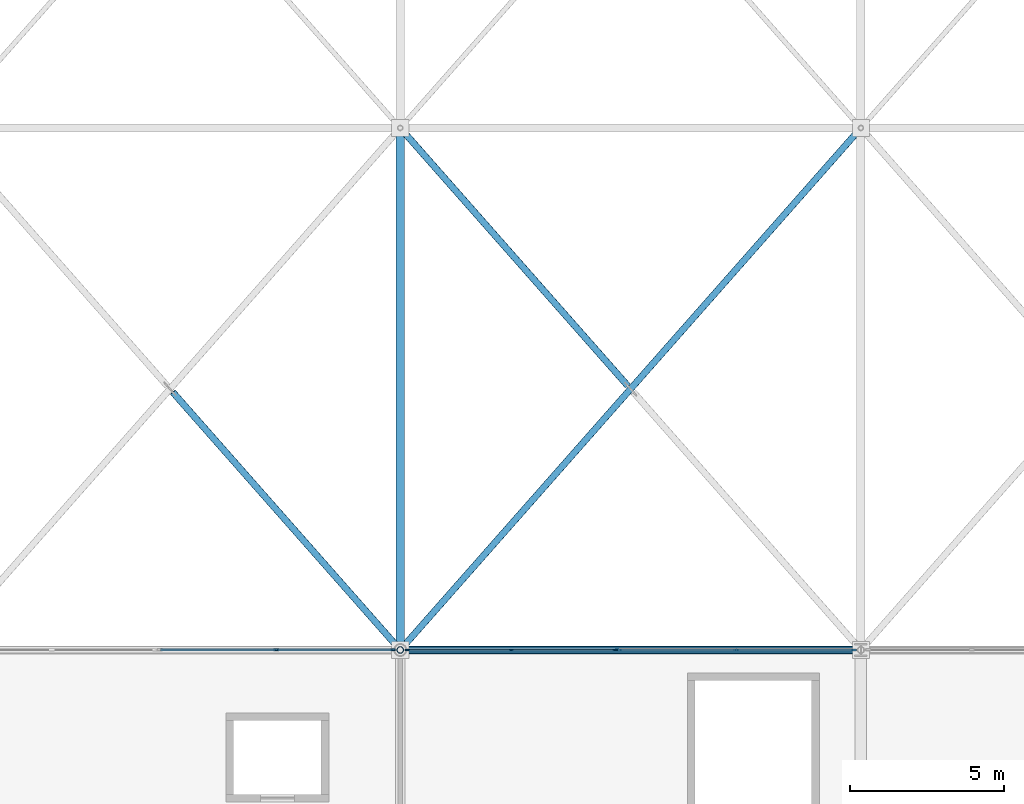
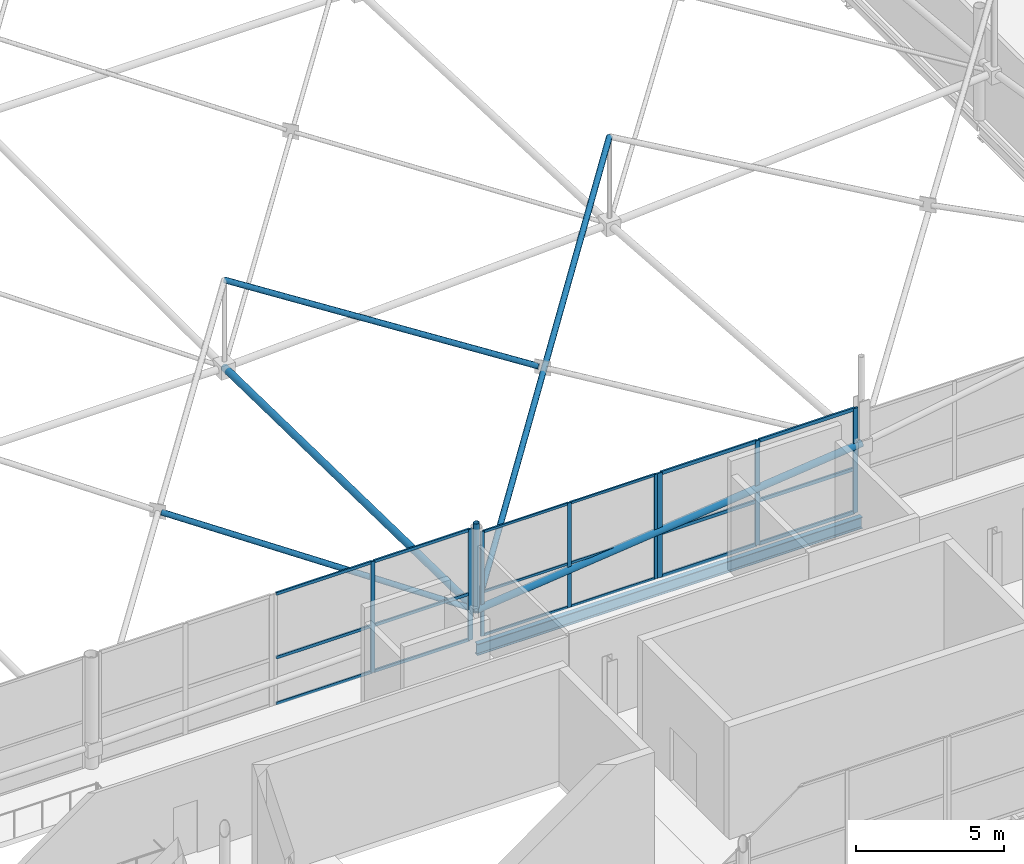
# One storey, part 50 of 224: 32 members, 1 beam, 3 elements without a shape of their own.
"""IFC4 building model written with IfcOpenShell, lengths in metres."""

from ifc_helpers import new_model, si_unit, direction, frame, origin, origin_2d, place, context, subcontext, project, spatial, rectangle, hollow_circle, i_section, extrude, material, layer, layer_set, material_profile, profile_set, type_object, element, aggregate, save


model = new_model("IFC4")

# Units and contexts
model_context = context("Model", 3, precision=1e-05, world=origin(), true_north=direction((0.0, 1.0)))
body_context = subcontext(model_context, "Body", "Model", "MODEL_VIEW")
ifc_project = project(units=[si_unit("LENGTHUNIT", "METRE"), si_unit("AREAUNIT", "SQUARE_METRE"), si_unit("VOLUMEUNIT", "CUBIC_METRE"), si_unit("PLANEANGLEUNIT", "RADIAN"), si_unit("MASSUNIT", "GRAM", prefix="KILO")], contexts=[model_context])

# Site, building, storey
site_placement = place(None, origin())
site = spatial("IfcSite", under=ifc_project, at=site_placement, CompositionType="ELEMENT")
building_placement = place(site_placement, origin())
building = spatial("IfcBuilding", under=site, at=building_placement, Name="Qamarlyn Nura Convention Centre", CompositionType="ELEMENT")
storey_placement = place(building_placement, frame((0.0, 0.0, 10.800048828125)))
storey = spatial("IfcBuildingStorey", under=building, at=storey_placement, Name="L02", CompositionType="ELEMENT", Elevation=10.800048828125)

# Beam
ifc_material_1 = material(Name="Steel ASTM A992", Category="steel")
ifc_material_profile_1 = material_profile(ifc_material_1, i_section(OverallWidth=0.193115234375, OverallDepth=0.466064453125, WebThickness=0.011474609375, FlangeThickness=0.01904296875, FilletRadius=0.012939453125, at=origin_2d()), Name="W460X97")
ifc_profile_set_1 = profile_set([ifc_material_profile_1], Name="Steel ASTM A992")
beam_type = type_object("IfcBeamType", Name="BM-SPAN-460", PredefinedType="SPANDREL", material=ifc_profile_set_1)
beam_placement = place(storey_placement, frame((90.0, 18.0, -0.453125), z_axis=(1.0, 0.0, 0.0), x_axis=(0.0, 1.0, 0.0)))
element("IfcBeam", 1, at=beam_placement, inside=storey, type_object=beam_type, Name="L02 girder C 7-8", PredefinedType="SPANDREL", context=body_context, shape_type="SweptSolid", body=[
    extrude(i_section(OverallWidth=0.193115234375, OverallDepth=0.466064453125, WebThickness=0.011474609375, FlangeThickness=0.01904296875, FilletRadius=0.012939453125, at=origin_2d()), origin(), (0.0, 0.0, 1.0), 15.0),
])

# Curtain wall, members
ifc_material_2 = material(Name="Double-silver low-E insulated glass", Category="glass")
ifc_layer_1 = layer(ifc_material_2, 0.179931640625, Name="CW-UNIT-21")
ifc_layer_set_1 = layer_set([ifc_layer_1], Name="Double-silver low-E insulated glass")
curtain_wall_type_1 = type_object("IfcCurtainWallType", Name="CW-UNIT-21", PredefinedType="NOTDEFINED", material=ifc_layer_set_1)
curtain_wall_1_placement = place(storey_placement, origin())
curtain_wall_1 = element("IfcCurtainWall", 2, at=curtain_wall_1_placement, inside=storey, type_object=curtain_wall_type_1, Name="L02 unitised curtain wall V1-INT-S3-1A", PredefinedType="NOTDEFINED")
ifc_material_3 = material(Name="Champagne-anodised marine aluminium", Category="aluminium")
ifc_material_profile_2 = material_profile(ifc_material_3, rectangle(XDim=0.06005859375, YDim=0.139892578125, at=origin_2d()), Name="ALU MULLION 60x140")
ifc_profile_set_2 = profile_set([ifc_material_profile_2], Name="Champagne-anodised marine aluminium")
member_type_1 = type_object("IfcMemberType", Name="CWM-140", PredefinedType="MULLION", material=ifc_profile_set_2)
member_1_placement = place(storey_placement, frame((90.233154296875, 18.0, 0.0), z_axis=(0.0, 0.0, 1.0), x_axis=(0.0, 1.0, 0.0)))
member_1 = element("IfcMember", 3, at=member_1_placement, type_object=member_type_1, Name="CW21 mullion 1", PredefinedType="MULLION", context=body_context, shape_type="SweptSolid", body=[
    extrude(rectangle(XDim=0.06005859375, YDim=0.139892578125, at=origin_2d()), origin(), (0.0, 0.0, 1.0), 4.31005859375),
])
member_2_placement = place(storey_placement, frame((93.6123046875, 18.0, 0.0), z_axis=(0.0, 0.0, 1.0), x_axis=(0.0, 1.0, 0.0)))
member_2 = element("IfcMember", 4, at=member_2_placement, type_object=member_type_1, Name="CW21 mullion 2", PredefinedType="MULLION", context=body_context, shape_type="SweptSolid", body=[
    extrude(rectangle(XDim=0.06005859375, YDim=0.139892578125, at=origin_2d()), origin(), (0.0, 0.0, 1.0), 4.31005859375),
])
member_3_placement = place(storey_placement, frame((96.99169921875, 18.0, 0.0), z_axis=(0.0, 0.0, 1.0), x_axis=(0.0, 1.0, 0.0)))
member_3 = element("IfcMember", 5, at=member_3_placement, type_object=member_type_1, Name="CW21 mullion 3", PredefinedType="MULLION", context=body_context, shape_type="SweptSolid", body=[
    extrude(rectangle(XDim=0.06005859375, YDim=0.139892578125, at=origin_2d()), origin(), (0.0, 0.0, 1.0), 4.31005859375),
])

ifc_layer_2 = layer(ifc_material_2, 0.179931640625, Name="CW-UNIT-20")
ifc_layer_set_2 = layer_set([ifc_layer_2], Name="Double-silver low-E insulated glass")
curtain_wall_type_2 = type_object("IfcCurtainWallType", Name="CW-UNIT-20", PredefinedType="NOTDEFINED", material=ifc_layer_set_2)
curtain_wall_2_placement = place(storey_placement, origin())
curtain_wall_2 = element("IfcCurtainWall", 6, at=curtain_wall_2_placement, inside=storey, type_object=curtain_wall_type_2, Name="L02 unitised curtain wall V1-INT-S2-1B", PredefinedType="NOTDEFINED")
ifc_material_profile_3 = material_profile(ifc_material_3, rectangle(XDim=0.06494140625, YDim=0.159912109375, at=origin_2d()), Name="ALU MULLION 65x160")
ifc_profile_set_3 = profile_set([ifc_material_profile_3], Name="Champagne-anodised marine aluminium")
member_type_2 = type_object("IfcMemberType", Name="CWM-160", PredefinedType="MULLION", material=ifc_profile_set_3)
member_4_placement = place(storey_placement, frame((85.962890625, 18.0, 0.0), z_axis=(0.0, 0.0, 1.0), x_axis=(0.0, 1.0, 0.0)))
member_4 = element("IfcMember", 7, at=member_4_placement, type_object=member_type_2, Name="CW20 mullion 2", PredefinedType="MULLION", context=body_context, shape_type="SweptSolid", body=[
    extrude(rectangle(XDim=0.06494140625, YDim=0.159912109375, at=origin_2d()), origin(), (0.0, 0.0, 1.0), 4.579833984375),
])
member_5_placement = place(storey_placement, frame((89.764404296875, 18.0, 0.0), z_axis=(0.0, 0.0, 1.0), x_axis=(0.0, 1.0, 0.0)))
member_5 = element("IfcMember", 8, at=member_5_placement, type_object=member_type_2, Name="CW20 mullion 3", PredefinedType="MULLION", context=body_context, shape_type="SweptSolid", body=[
    extrude(rectangle(XDim=0.06494140625, YDim=0.159912109375, at=origin_2d()), origin(), (0.0, 0.0, 1.0), 4.579833984375),
])

ifc_layer_3 = layer(ifc_material_2, 0.179931640625, Name="CW-UNIT-22")
ifc_layer_set_3 = layer_set([ifc_layer_3], Name="Double-silver low-E insulated glass")
curtain_wall_type_3 = type_object("IfcCurtainWallType", Name="CW-UNIT-22", PredefinedType="NOTDEFINED", material=ifc_layer_set_3)
curtain_wall_3_placement = place(storey_placement, origin())
curtain_wall_3 = element("IfcCurtainWall", 9, at=curtain_wall_3_placement, inside=storey, type_object=curtain_wall_type_3, Name="L02 unitised curtain wall V1-INT-S3-1B", PredefinedType="NOTDEFINED")
ifc_material_profile_4 = material_profile(ifc_material_3, rectangle(XDim=0.070068359375, YDim=0.179931640625, at=origin_2d()), Name="ALU MULLION 70x180")
ifc_profile_set_4 = profile_set([ifc_material_profile_4], Name="Champagne-anodised marine aluminium")
member_type_3 = type_object("IfcMemberType", Name="CWM-180", PredefinedType="MULLION", material=ifc_profile_set_4)
member_6_placement = place(storey_placement, frame((97.13671875, 18.0, 0.0), z_axis=(0.0, 0.0, 1.0), x_axis=(0.0, 1.0, 0.0)))
member_6 = element("IfcMember", 10, at=member_6_placement, type_object=member_type_3, Name="CW22 mullion 1", PredefinedType="MULLION", context=body_context, shape_type="SweptSolid", body=[
    extrude(rectangle(XDim=0.070068359375, YDim=0.179931640625, at=origin_2d()), origin(), (0.0, 0.0, 1.0), 4.31005859375),
])
member_7_placement = place(storey_placement, frame((100.948486328125, 18.0, 0.0), z_axis=(0.0, 0.0, 1.0), x_axis=(0.0, 1.0, 0.0)))
member_7 = element("IfcMember", 11, at=member_7_placement, type_object=member_type_3, Name="CW22 mullion 2", PredefinedType="MULLION", context=body_context, shape_type="SweptSolid", body=[
    extrude(rectangle(XDim=0.070068359375, YDim=0.179931640625, at=origin_2d()), origin(), (0.0, 0.0, 1.0), 4.31005859375),
])
member_8_placement = place(storey_placement, frame((104.760498046875, 18.0, 0.0), z_axis=(0.0, 0.0, 1.0), x_axis=(0.0, 1.0, 0.0)))
member_8 = element("IfcMember", 12, at=member_8_placement, type_object=member_type_3, Name="CW22 mullion 3", PredefinedType="MULLION", context=body_context, shape_type="SweptSolid", body=[
    extrude(rectangle(XDim=0.070068359375, YDim=0.179931640625, at=origin_2d()), origin(), (0.0, 0.0, 1.0), 4.31005859375),
])

# Member
ifc_material_profile_5 = material_profile(ifc_material_3, rectangle(XDim=0.06005859375, YDim=0.10009765625, at=origin_2d()), Name="ALU TRANSOM 60x100")
ifc_profile_set_5 = profile_set([ifc_material_profile_5], Name="Champagne-anodised marine aluminium")
member_type_4 = type_object("IfcMemberType", Name="CWT-100", PredefinedType="USERDEFINED", material=ifc_profile_set_5)
member_9_placement = place(storey_placement, frame((90.26318359375, 18.0, 0.030029296875), z_axis=(1.0, 0.0, 0.0), x_axis=(0.0, 1.0, 0.0)))
member_9 = element("IfcMember", 13, at=member_9_placement, type_object=member_type_4, Name="CW21 transom 1.1", ObjectType="TRANSOM", PredefinedType="USERDEFINED", context=body_context, shape_type="SweptSolid", body=[
    extrude(rectangle(XDim=0.06005859375, YDim=0.10009765625, at=origin_2d()), origin(), (0.0, 0.0, 1.0), 3.3193359375),
])

member_10_placement = place(storey_placement, frame((90.26318359375, 18.0, 1.81005859375), z_axis=(1.0, 0.0, 0.0), x_axis=(0.0, 1.0, 0.0)))
member_10 = element("IfcMember", 14, at=member_10_placement, type_object=member_type_4, Name="CW21 transom 1.2", ObjectType="TRANSOM", PredefinedType="USERDEFINED", context=body_context, shape_type="SweptSolid", body=[
    extrude(rectangle(XDim=0.06005859375, YDim=0.10009765625, at=origin_2d()), origin(), (0.0, 0.0, 1.0), 3.3193359375),
])

member_11_placement = place(storey_placement, frame((90.26318359375, 18.0, 4.280029296875), z_axis=(1.0, 0.0, 0.0), x_axis=(0.0, 1.0, 0.0)))
member_11 = element("IfcMember", 15, at=member_11_placement, type_object=member_type_4, Name="CW21 transom 1.3", ObjectType="TRANSOM", PredefinedType="USERDEFINED", context=body_context, shape_type="SweptSolid", body=[
    extrude(rectangle(XDim=0.06005859375, YDim=0.10009765625, at=origin_2d()), origin(), (0.0, 0.0, 1.0), 3.3193359375),
])

member_12_placement = place(storey_placement, frame((93.642333984375, 18.0, 0.030029296875), z_axis=(1.0, 0.0, 0.0), x_axis=(0.0, 1.0, 0.0)))
member_12 = element("IfcMember", 16, at=member_12_placement, type_object=member_type_4, Name="CW21 transom 2.1", ObjectType="TRANSOM", PredefinedType="USERDEFINED", context=body_context, shape_type="SweptSolid", body=[
    extrude(rectangle(XDim=0.06005859375, YDim=0.10009765625, at=origin_2d()), origin(), (0.0, 0.0, 1.0), 3.3193359375),
])

member_13_placement = place(storey_placement, frame((93.642333984375, 18.0, 1.81005859375), z_axis=(1.0, 0.0, 0.0), x_axis=(0.0, 1.0, 0.0)))
member_13 = element("IfcMember", 17, at=member_13_placement, type_object=member_type_4, Name="CW21 transom 2.2", ObjectType="TRANSOM", PredefinedType="USERDEFINED", context=body_context, shape_type="SweptSolid", body=[
    extrude(rectangle(XDim=0.06005859375, YDim=0.10009765625, at=origin_2d()), origin(), (0.0, 0.0, 1.0), 3.3193359375),
])

member_14_placement = place(storey_placement, frame((93.642333984375, 18.0, 4.280029296875), z_axis=(1.0, 0.0, 0.0), x_axis=(0.0, 1.0, 0.0)))
member_14 = element("IfcMember", 18, at=member_14_placement, type_object=member_type_4, Name="CW21 transom 2.3", ObjectType="TRANSOM", PredefinedType="USERDEFINED", context=body_context, shape_type="SweptSolid", body=[
    extrude(rectangle(XDim=0.06005859375, YDim=0.10009765625, at=origin_2d()), origin(), (0.0, 0.0, 1.0), 3.3193359375),
])

aggregate(curtain_wall_1, [member_1, member_2, member_3, member_9, member_10, member_11, member_12, member_13, member_14])

ifc_material_profile_6 = material_profile(ifc_material_3, rectangle(XDim=0.06494140625, YDim=0.1201171875, at=origin_2d()), Name="ALU TRANSOM 65x120")
ifc_profile_set_6 = profile_set([ifc_material_profile_6], Name="Champagne-anodised marine aluminium")
member_type_5 = type_object("IfcMemberType", Name="CWT-120", PredefinedType="USERDEFINED", material=ifc_profile_set_6)
member_15_placement = place(storey_placement, frame((82.194091796875, 18.0, 0.032470703125), z_axis=(1.0, 0.0, 0.0), x_axis=(0.0, 1.0, 0.0)))
member_15 = element("IfcMember", 19, at=member_15_placement, type_object=member_type_5, Name="CW20 transom 1.1", ObjectType="TRANSOM", PredefinedType="USERDEFINED", context=body_context, shape_type="SweptSolid", body=[
    extrude(rectangle(XDim=0.06494140625, YDim=0.1201171875, at=origin_2d()), origin(), (0.0, 0.0, 1.0), 3.736328125),
])

member_16_placement = place(storey_placement, frame((82.194091796875, 18.0, 1.924072265625), z_axis=(1.0, 0.0, 0.0), x_axis=(0.0, 1.0, 0.0)))
member_16 = element("IfcMember", 20, at=member_16_placement, type_object=member_type_5, Name="CW20 transom 1.2", ObjectType="TRANSOM", PredefinedType="USERDEFINED", context=body_context, shape_type="SweptSolid", body=[
    extrude(rectangle(XDim=0.06494140625, YDim=0.1201171875, at=origin_2d()), origin(), (0.0, 0.0, 1.0), 3.736328125),
])

member_17_placement = place(storey_placement, frame((82.194091796875, 18.0, 4.54736328125), z_axis=(1.0, 0.0, 0.0), x_axis=(0.0, 1.0, 0.0)))
member_17 = element("IfcMember", 21, at=member_17_placement, type_object=member_type_5, Name="CW20 transom 1.3", ObjectType="TRANSOM", PredefinedType="USERDEFINED", context=body_context, shape_type="SweptSolid", body=[
    extrude(rectangle(XDim=0.06494140625, YDim=0.1201171875, at=origin_2d()), origin(), (0.0, 0.0, 1.0), 3.736328125),
])

member_18_placement = place(storey_placement, frame((85.995361328125, 18.0, 0.032470703125), z_axis=(1.0, 0.0, 0.0), x_axis=(0.0, 1.0, 0.0)))
member_18 = element("IfcMember", 22, at=member_18_placement, type_object=member_type_5, Name="CW20 transom 2.1", ObjectType="TRANSOM", PredefinedType="USERDEFINED", context=body_context, shape_type="SweptSolid", body=[
    extrude(rectangle(XDim=0.06494140625, YDim=0.1201171875, at=origin_2d()), origin(), (0.0, 0.0, 1.0), 3.736328125),
])

member_19_placement = place(storey_placement, frame((85.995361328125, 18.0, 1.924072265625), z_axis=(1.0, 0.0, 0.0), x_axis=(0.0, 1.0, 0.0)))
member_19 = element("IfcMember", 23, at=member_19_placement, type_object=member_type_5, Name="CW20 transom 2.2", ObjectType="TRANSOM", PredefinedType="USERDEFINED", context=body_context, shape_type="SweptSolid", body=[
    extrude(rectangle(XDim=0.06494140625, YDim=0.1201171875, at=origin_2d()), origin(), (0.0, 0.0, 1.0), 3.736328125),
])

member_20_placement = place(storey_placement, frame((85.995361328125, 18.0, 4.54736328125), z_axis=(1.0, 0.0, 0.0), x_axis=(0.0, 1.0, 0.0)))
member_20 = element("IfcMember", 24, at=member_20_placement, type_object=member_type_5, Name="CW20 transom 2.3", ObjectType="TRANSOM", PredefinedType="USERDEFINED", context=body_context, shape_type="SweptSolid", body=[
    extrude(rectangle(XDim=0.06494140625, YDim=0.1201171875, at=origin_2d()), origin(), (0.0, 0.0, 1.0), 3.736328125),
])

aggregate(curtain_wall_2, [member_4, member_5, member_15, member_16, member_17, member_18, member_19, member_20])

ifc_material_profile_7 = material_profile(ifc_material_3, rectangle(XDim=0.070068359375, YDim=0.139892578125, at=origin_2d()), Name="ALU TRANSOM 70x140")
ifc_profile_set_7 = profile_set([ifc_material_profile_7], Name="Champagne-anodised marine aluminium")
member_type_6 = type_object("IfcMemberType", Name="CWT-140", PredefinedType="USERDEFINED", material=ifc_profile_set_7)
member_21_placement = place(storey_placement, frame((97.171630859375, 18.0, 0.034912109375), z_axis=(1.0, 0.0, 0.0), x_axis=(0.0, 1.0, 0.0)))
member_21 = element("IfcMember", 25, at=member_21_placement, type_object=member_type_6, Name="CW22 transom 1.1", ObjectType="TRANSOM", PredefinedType="USERDEFINED", context=body_context, shape_type="SweptSolid", body=[
    extrude(rectangle(XDim=0.070068359375, YDim=0.139892578125, at=origin_2d()), origin(), (0.0, 0.0, 1.0), 3.741943359375),
])

member_22_placement = place(storey_placement, frame((97.171630859375, 18.0, 1.81005859375), z_axis=(1.0, 0.0, 0.0), x_axis=(0.0, 1.0, 0.0)))
member_22 = element("IfcMember", 26, at=member_22_placement, type_object=member_type_6, Name="CW22 transom 1.2", ObjectType="TRANSOM", PredefinedType="USERDEFINED", context=body_context, shape_type="SweptSolid", body=[
    extrude(rectangle(XDim=0.070068359375, YDim=0.139892578125, at=origin_2d()), origin(), (0.0, 0.0, 1.0), 3.741943359375),
])

member_23_placement = place(storey_placement, frame((97.171630859375, 18.0, 4.27490234375), z_axis=(1.0, 0.0, 0.0), x_axis=(0.0, 1.0, 0.0)))
member_23 = element("IfcMember", 27, at=member_23_placement, type_object=member_type_6, Name="CW22 transom 1.3", ObjectType="TRANSOM", PredefinedType="USERDEFINED", context=body_context, shape_type="SweptSolid", body=[
    extrude(rectangle(XDim=0.070068359375, YDim=0.139892578125, at=origin_2d()), origin(), (0.0, 0.0, 1.0), 3.741943359375),
])

member_24_placement = place(storey_placement, frame((100.983642578125, 18.0, 0.034912109375), z_axis=(1.0, 0.0, 0.0), x_axis=(0.0, 1.0, 0.0)))
member_24 = element("IfcMember", 28, at=member_24_placement, type_object=member_type_6, Name="CW22 transom 2.1", ObjectType="TRANSOM", PredefinedType="USERDEFINED", context=body_context, shape_type="SweptSolid", body=[
    extrude(rectangle(XDim=0.070068359375, YDim=0.139892578125, at=origin_2d()), origin(), (0.0, 0.0, 1.0), 3.741943359375),
])

member_25_placement = place(storey_placement, frame((100.983642578125, 18.0, 1.81005859375), z_axis=(1.0, 0.0, 0.0), x_axis=(0.0, 1.0, 0.0)))
member_25 = element("IfcMember", 29, at=member_25_placement, type_object=member_type_6, Name="CW22 transom 2.2", ObjectType="TRANSOM", PredefinedType="USERDEFINED", context=body_context, shape_type="SweptSolid", body=[
    extrude(rectangle(XDim=0.070068359375, YDim=0.139892578125, at=origin_2d()), origin(), (0.0, 0.0, 1.0), 3.741943359375),
])

member_26_placement = place(storey_placement, frame((100.983642578125, 18.0, 4.27490234375), z_axis=(1.0, 0.0, 0.0), x_axis=(0.0, 1.0, 0.0)))
member_26 = element("IfcMember", 30, at=member_26_placement, type_object=member_type_6, Name="CW22 transom 2.3", ObjectType="TRANSOM", PredefinedType="USERDEFINED", context=body_context, shape_type="SweptSolid", body=[
    extrude(rectangle(XDim=0.070068359375, YDim=0.139892578125, at=origin_2d()), origin(), (0.0, 0.0, 1.0), 3.741943359375),
])

aggregate(curtain_wall_3, [member_6, member_7, member_8, member_21, member_22, member_23, member_24, member_25, member_26])

# Members
ifc_material_4 = material(Name="Pearl-white PVDF steel ASTM A500 Grade C", Category="steel")
ifc_material_profile_8 = material_profile(ifc_material_4, hollow_circle(Radius=0.136474609375, WallThickness=0.012451171875, at=origin_2d()), Name="CHS273X12.5")
ifc_profile_set_8 = profile_set([ifc_material_profile_8], Name="Pearl-white PVDF steel ASTM A500 Grade C")
member_type_7 = type_object("IfcMemberType", Name="SF-BC-MAIN", PredefinedType="CHORD", material=ifc_profile_set_8)
member_27_placement = place(storey_placement, frame((90.0, 18.0, 1.150634765625), z_axis=(0.994233236625, 0.0, 0.107239317368), x_axis=(0.0, 1.0, 0.0)))
element("IfcMember", 31, at=member_27_placement, inside=storey, type_object=member_type_7, Name="ROOF TRUSS space frame bottom chord X8-2", PredefinedType="CHORD", context=body_context, shape_type="SweptSolid", body=[
    extrude(hollow_circle(Radius=0.136474609375, WallThickness=0.012451171875, at=origin_2d()), origin(), (0.0, 0.0, 1.0), 15.0869140625),
])
member_28_placement = place(storey_placement, frame((90.0, 18.0, 1.150634765625), z_axis=(0.0, 0.999820912032, -0.018924689253), x_axis=(-1.0, 0.0, 0.0)))
element("IfcMember", 32, at=member_28_placement, inside=storey, type_object=member_type_7, Name="ROOF TRUSS space frame bottom chord Y8-2", PredefinedType="CHORD", context=body_context, shape_type="SweptSolid", body=[
    extrude(hollow_circle(Radius=0.136474609375, WallThickness=0.012451171875, at=origin_2d()), origin(), (0.0, 0.0, 1.0), 17.0029296875),
])
ifc_material_profile_9 = material_profile(ifc_material_4, hollow_circle(Radius=0.109619140625, WallThickness=0.010009765625, at=origin_2d()), Name="CHS219.1X10")
ifc_profile_set_9 = profile_set([ifc_material_profile_9], Name="Pearl-white PVDF steel ASTM A500 Grade C")
member_type_8 = type_object("IfcMemberType", Name="SF-WEB-HVY", PredefinedType="BRACE", material=ifc_profile_set_9)
member_29_placement = place(storey_placement, frame((90.0, 18.0, 1.150634765625), z_axis=(-0.655572501229, 0.742985048684, 0.134899640709), x_axis=(-0.74983912797, -0.661620194799, 0.0)))
element("IfcMember", 33, at=member_29_placement, inside=storey, type_object=member_type_8, Name="ROOF TRUSS space frame split diagonal B1 7-2", PredefinedType="BRACE", context=body_context, shape_type="SweptSolid", body=[
    extrude(hollow_circle(Radius=0.109619140625, WallThickness=0.010009765625, at=origin_2d()), origin(), (0.0, 0.0, 1.0), 11.30029296875),
])
member_30_placement = place(storey_placement, frame((90.0, 18.0, 1.150634765625), z_axis=(0.0, 0.0, 1.0), x_axis=(1.0, 0.0, 0.0)))
element("IfcMember", 34, at=member_30_placement, inside=storey, type_object=member_type_8, Name="ROOF TRUSS space frame vertical 8-2", PredefinedType="BRACE", context=body_context, shape_type="SweptSolid", body=[
    extrude(hollow_circle(Radius=0.109619140625, WallThickness=0.010009765625, at=origin_2d()), origin(), (0.0, 0.0, 1.0), 3.599853515625),
])
member_31_placement = place(storey_placement, frame((90.0, 18.0, 1.150634765625), z_axis=(0.651900170782, 0.738820193553, 0.170794873846), x_axis=(-0.749837855365, 0.661621637087, 0.0)))
element("IfcMember", 35, at=member_31_placement, inside=storey, type_object=member_type_8, Name="ROOF TRUSS space frame diagonal A 8-2", PredefinedType="BRACE", context=body_context, shape_type="SweptSolid", body=[
    extrude(hollow_circle(Radius=0.109619140625, WallThickness=0.010009765625, at=origin_2d()), origin(), (0.0, 0.0, 1.0), 23.009765625),
])
member_32_placement = place(storey_placement, frame((97.40771484375, 26.604736328125, 3.3671875), z_axis=(-0.658672940657, 0.746482974437, 0.094409353995), x_axis=(-0.749832128163, -0.66162812786, 0.0)))
element("IfcMember", 36, at=member_32_placement, inside=storey, type_object=member_type_8, Name="ROOF TRUSS space frame split diagonal B2 8-2", PredefinedType="BRACE", context=body_context, shape_type="SweptSolid", body=[
    extrude(hollow_circle(Radius=0.109619140625, WallThickness=0.010009765625, at=origin_2d()), origin(), (0.0, 0.0, 1.0), 11.246337890625),
])

save(model, "model.ifc")
